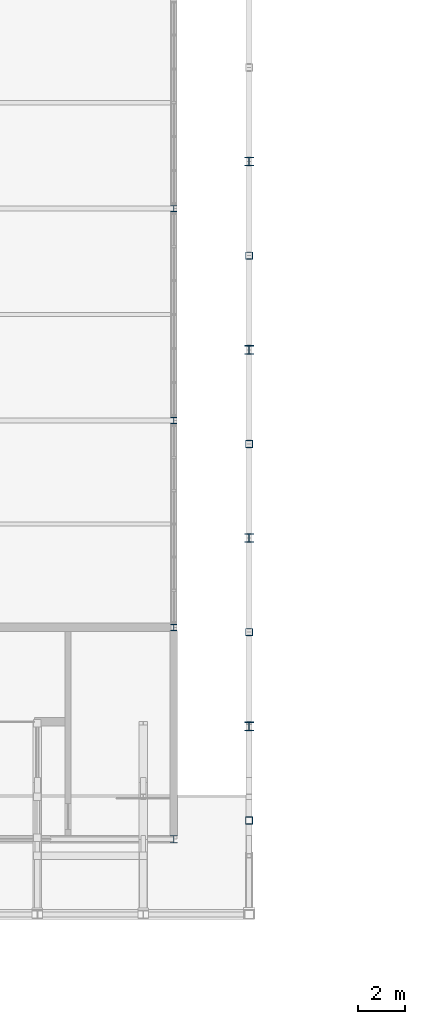
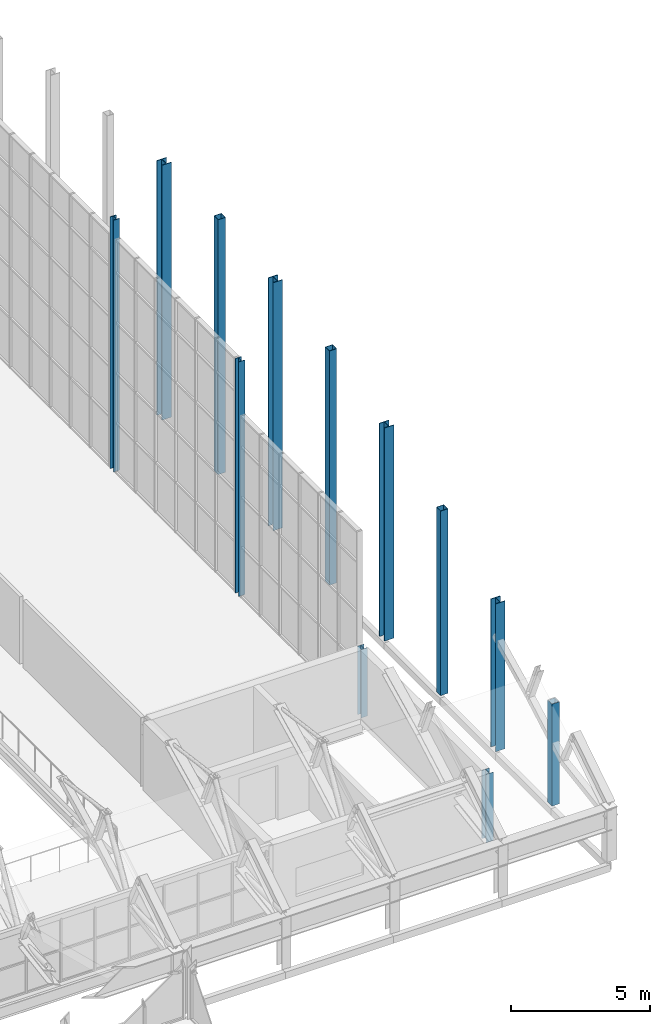
# One storey, part 20 of 134: 12 columns.
"""IFC4 building model written with IfcOpenShell, lengths in metres."""

from ifc_helpers import new_model, si_unit, direction, frame, origin, origin_2d, place, context, subcontext, project, spatial, hollow_rectangle, i_section, extrude, material, material_profile, profile_set, type_object, element, save


model = new_model("IFC4")

# Units and contexts
model_context = context("Model", 3, precision=1e-05, world=origin(), true_north=direction((0.0, 1.0)))
body_context = subcontext(model_context, "Body", "Model", "MODEL_VIEW")
ifc_project = project(units=[si_unit("LENGTHUNIT", "METRE"), si_unit("AREAUNIT", "SQUARE_METRE"), si_unit("VOLUMEUNIT", "CUBIC_METRE"), si_unit("PLANEANGLEUNIT", "RADIAN"), si_unit("MASSUNIT", "GRAM", prefix="KILO")], contexts=[model_context])

# Site, building, storey
site_placement = place(None, origin())
site = spatial("IfcSite", under=ifc_project, at=site_placement, CompositionType="ELEMENT")
building_placement = place(site_placement, origin())
building = spatial("IfcBuilding", under=site, at=building_placement, Name="Cazmaro Siding Exhibition Halls", CompositionType="ELEMENT")
storey_placement = place(building_placement, frame((0.0, 0.0, 12.0)))
storey = spatial("IfcBuildingStorey", under=building, at=storey_placement, Name="L02", CompositionType="ELEMENT", Elevation=12.0)

# Columns
ifc_material_1 = material(Name="Steel ASTM A992 Grade 50", Category="steel")
ifc_material_profile_1 = material_profile(ifc_material_1, i_section(OverallWidth=0.39208984375, OverallDepth=0.3759765625, WebThickness=0.01708984375, FlangeThickness=0.028076171875, at=origin_2d()), Name="W14X145")
ifc_profile_set_1 = profile_set([ifc_material_profile_1], Name="Steel ASTM A992 Grade 50")
column_type_1 = type_object("IfcColumnType", Name="C-03", PredefinedType="COLUMN", material=ifc_profile_set_1)
column_1_placement = place(storey_placement, frame((171.0, 72.0, 0.0), z_axis=(0.0, 0.0, 1.0), x_axis=(1.0, 0.0, 0.0)))
element("IfcColumn", 1, at=column_1_placement, inside=storey, type_object=column_type_1, Name="Column C-03 COL-0222", PredefinedType="COLUMN", context=body_context, shape_type="SweptSolid", body=[
    extrude(i_section(OverallWidth=0.39208984375, OverallDepth=0.3759765625, WebThickness=0.01708984375, FlangeThickness=0.028076171875, at=origin_2d()), origin(), (0.0, 0.0, 1.0), 6.489013671875),
])
column_2_placement = place(storey_placement, frame((171.0, 80.0, 0.0), z_axis=(0.0, 0.0, 1.0), x_axis=(1.0, 0.0, 0.0)))
element("IfcColumn", 2, at=column_2_placement, inside=storey, type_object=column_type_1, Name="Column C-03 COL-0228", PredefinedType="COLUMN", context=body_context, shape_type="SweptSolid", body=[
    extrude(i_section(OverallWidth=0.39208984375, OverallDepth=0.3759765625, WebThickness=0.01708984375, FlangeThickness=0.028076171875, at=origin_2d()), origin(), (0.0, 0.0, 1.0), 9.35595703125),
])
column_3_placement = place(storey_placement, frame((171.0, 88.0, 0.0), z_axis=(0.0, 0.0, 1.0), x_axis=(1.0, 0.0, 0.0)))
element("IfcColumn", 3, at=column_3_placement, inside=storey, type_object=column_type_1, Name="Column C-03 COL-0234", PredefinedType="COLUMN", context=body_context, shape_type="SweptSolid", body=[
    extrude(i_section(OverallWidth=0.39208984375, OverallDepth=0.3759765625, WebThickness=0.01708984375, FlangeThickness=0.028076171875, at=origin_2d()), origin(), (0.0, 0.0, 1.0), 10.883056640625),
])
column_4_placement = place(storey_placement, frame((171.0, 96.0, 0.0), z_axis=(0.0, 0.0, 1.0), x_axis=(1.0, 0.0, 0.0)))
element("IfcColumn", 4, at=column_4_placement, inside=storey, type_object=column_type_1, Name="Column C-03 COL-0240", PredefinedType="COLUMN", context=body_context, shape_type="SweptSolid", body=[
    extrude(i_section(OverallWidth=0.39208984375, OverallDepth=0.3759765625, WebThickness=0.01708984375, FlangeThickness=0.028076171875, at=origin_2d()), origin(), (0.0, 0.0, 1.0), 11.18310546875),
])
ifc_material_2 = material(Name="Steel ASTM A992 Grade 50", Category="steel")
ifc_material_profile_2 = material_profile(ifc_material_2, i_section(OverallWidth=0.304931640625, OverallDepth=0.306884765625, WebThickness=0.010009765625, FlangeThickness=0.014892578125, at=origin_2d()), Name="W12X65")
ifc_profile_set_2 = profile_set([ifc_material_profile_2], Name="Steel ASTM A992 Grade 50")
column_type_2 = type_object("IfcColumnType", Name="C-06", PredefinedType="COLUMN", material=ifc_profile_set_2)
column_5_placement = place(storey_placement, frame((167.800048828125, 67.199951171875, 0.0), z_axis=(0.0, 0.0, 1.0), x_axis=(1.0, 0.0, 0.0)))
element("IfcColumn", 5, at=column_5_placement, inside=storey, type_object=column_type_2, Name="Column C-06 COL-0385", PredefinedType="COLUMN", context=body_context, shape_type="SweptSolid", body=[
    extrude(i_section(OverallWidth=0.304931640625, OverallDepth=0.306884765625, WebThickness=0.010009765625, FlangeThickness=0.014892578125, at=origin_2d()), origin(), (0.0, 0.0, 1.0), 3.0),
])
ifc_material_3 = material(Name="Steel ASTM A992 Grade 50", Category="steel")
ifc_material_profile_3 = material_profile(ifc_material_3, i_section(OverallWidth=0.257080078125, OverallDepth=0.263916015625, WebThickness=0.011962890625, FlangeThickness=0.02001953125, at=origin_2d()), Name="W10X68")
ifc_profile_set_3 = profile_set([ifc_material_profile_3], Name="Steel ASTM A992 Grade 50")
column_type_3 = type_object("IfcColumnType", Name="C-14", PredefinedType="COLUMN", material=ifc_profile_set_3)
column_6_placement = place(storey_placement, frame((167.800048828125, 76.199951171875, 0.0), z_axis=(0.0, 0.0, 1.0), x_axis=(1.0, 0.0, 0.0)))
element("IfcColumn", 6, at=column_6_placement, inside=storey, type_object=column_type_3, Name="Column C-14 COL-0439", PredefinedType="COLUMN", context=body_context, shape_type="SweptSolid", body=[
    extrude(i_section(OverallWidth=0.257080078125, OverallDepth=0.263916015625, WebThickness=0.011962890625, FlangeThickness=0.02001953125, at=origin_2d()), origin(), (0.0, 0.0, 1.0), 3.0),
])
column_7_placement = place(storey_placement, frame((167.800048828125, 85.0, 0.0), z_axis=(0.0, 0.0, 1.0), x_axis=(1.0, 0.0, 0.0)))
element("IfcColumn", 7, at=column_7_placement, inside=storey, type_object=column_type_3, Name="Column C-14 COL-0442", PredefinedType="COLUMN", context=body_context, shape_type="SweptSolid", body=[
    extrude(i_section(OverallWidth=0.257080078125, OverallDepth=0.263916015625, WebThickness=0.011962890625, FlangeThickness=0.02001953125, at=origin_2d()), origin(), (0.0, 0.0, 1.0), 10.2880859375),
])
column_8_placement = place(storey_placement, frame((167.800048828125, 94.0, 0.0), z_axis=(0.0, 0.0, 1.0), x_axis=(1.0, 0.0, 0.0)))
element("IfcColumn", 8, at=column_8_placement, inside=storey, type_object=column_type_3, Name="Column C-14 COL-0445", PredefinedType="COLUMN", context=body_context, shape_type="SweptSolid", body=[
    extrude(i_section(OverallWidth=0.257080078125, OverallDepth=0.263916015625, WebThickness=0.011962890625, FlangeThickness=0.02001953125, at=origin_2d()), origin(), (0.0, 0.0, 1.0), 11.050048828125),
])
ifc_material_4 = material(Name="Steel ASTM A500 Grade C", Category="steel")
ifc_material_profile_4 = material_profile(ifc_material_4, hollow_rectangle(XDim=0.304931640625, YDim=0.304931640625, WallThickness=0.014892578125, at=origin_2d()), Name="HSS12X12X5/8")
ifc_profile_set_4 = profile_set([ifc_material_profile_4], Name="Steel ASTM A500 Grade C")
column_type_4 = type_object("IfcColumnType", Name="PL-02", PredefinedType="PILASTER", material=ifc_profile_set_4)
column_9_placement = place(storey_placement, frame((171.0, 68.0, 0.0), z_axis=(0.0, 0.0, 1.0), x_axis=(1.0, 0.0, 0.0)))
element("IfcColumn", 9, at=column_9_placement, inside=storey, type_object=column_type_4, Name="Column PL-02 COL-0219", PredefinedType="PILASTER", context=body_context, shape_type="SweptSolid", body=[
    extrude(hollow_rectangle(XDim=0.304931640625, YDim=0.304931640625, WallThickness=0.014892578125, at=origin_2d()), origin(), (0.0, 0.0, 1.0), 4.47900390625),
])
column_10_placement = place(storey_placement, frame((171.0, 76.0, 0.0), z_axis=(0.0, 0.0, 1.0), x_axis=(1.0, 0.0, 0.0)))
element("IfcColumn", 10, at=column_10_placement, inside=storey, type_object=column_type_4, Name="Column PL-02 COL-0225", PredefinedType="PILASTER", context=body_context, shape_type="SweptSolid", body=[
    extrude(hollow_rectangle(XDim=0.304931640625, YDim=0.304931640625, WallThickness=0.014892578125, at=origin_2d()), origin(), (0.0, 0.0, 1.0), 8.10205078125),
])
column_11_placement = place(storey_placement, frame((171.0, 84.0, 0.0), z_axis=(0.0, 0.0, 1.0), x_axis=(1.0, 0.0, 0.0)))
element("IfcColumn", 11, at=column_11_placement, inside=storey, type_object=column_type_4, Name="Column PL-02 COL-0231", PredefinedType="PILASTER", context=body_context, shape_type="SweptSolid", body=[
    extrude(hollow_rectangle(XDim=0.304931640625, YDim=0.304931640625, WallThickness=0.014892578125, at=origin_2d()), origin(), (0.0, 0.0, 1.0), 10.277099609375),
])
column_12_placement = place(storey_placement, frame((171.0, 92.0, 0.0), z_axis=(0.0, 0.0, 1.0), x_axis=(1.0, 0.0, 0.0)))
element("IfcColumn", 12, at=column_12_placement, inside=storey, type_object=column_type_4, Name="Column PL-02 COL-0237", PredefinedType="PILASTER", context=body_context, shape_type="SweptSolid", body=[
    extrude(hollow_rectangle(XDim=0.304931640625, YDim=0.304931640625, WallThickness=0.014892578125, at=origin_2d()), origin(), (0.0, 0.0, 1.0), 11.18310546875),
])

save(model, "model.ifc")
